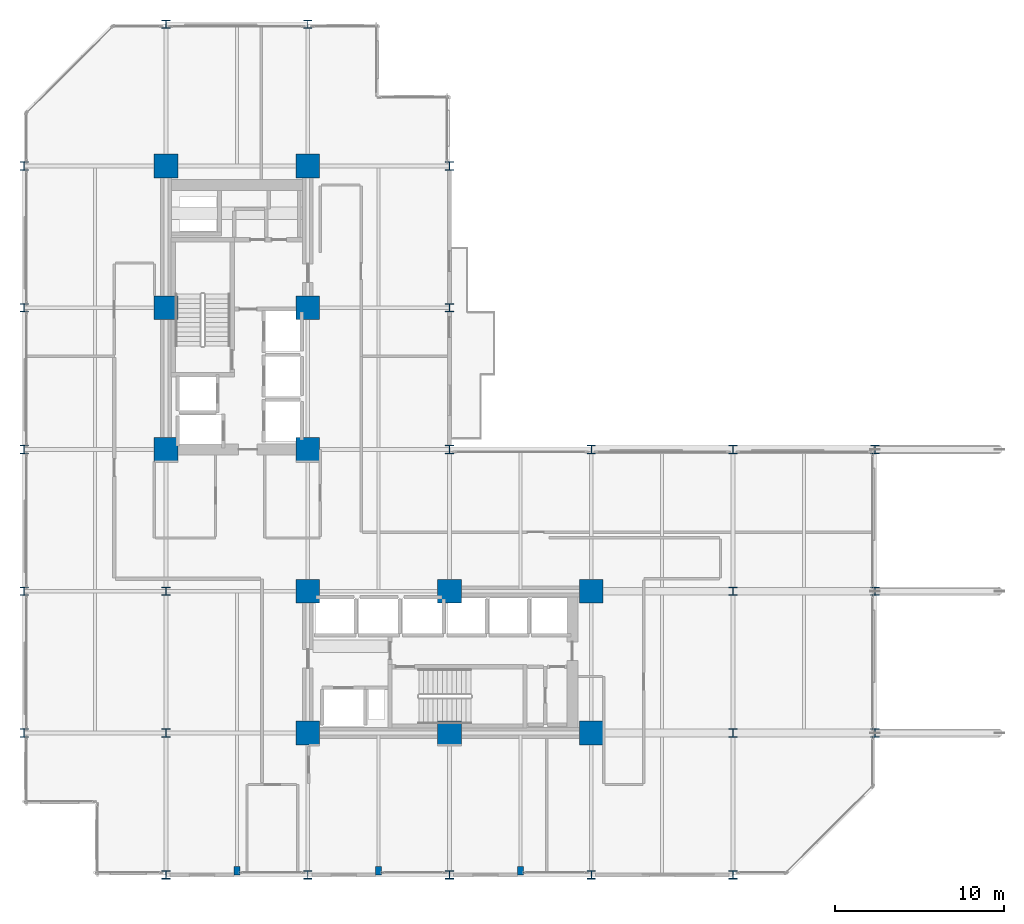
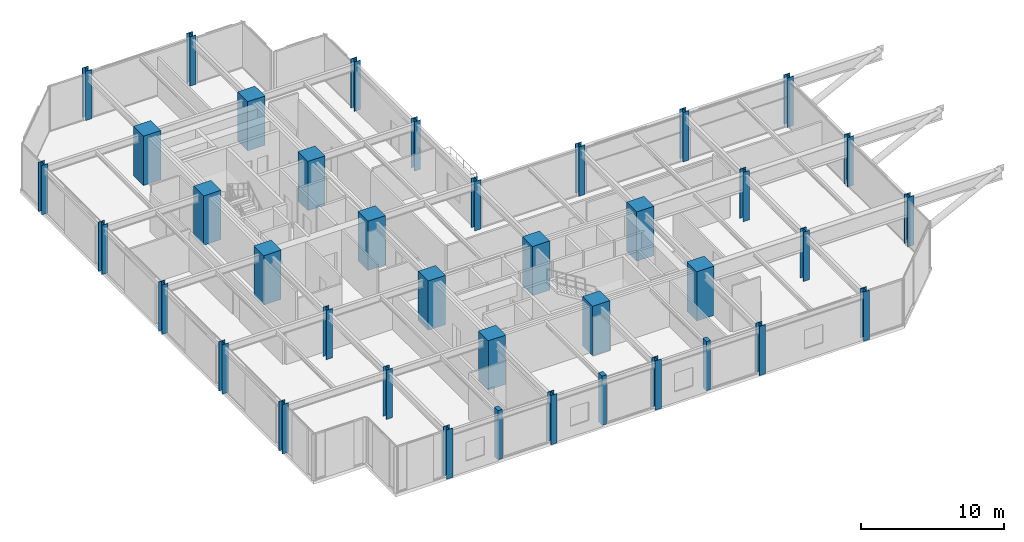
# One storey, part 1 of 25: 39 columns.
"""IFC4 building model written with IfcOpenShell, lengths in metres."""

from ifc_helpers import new_model, si_unit, direction, frame, origin, origin_2d, place, context, subcontext, project, spatial, rectangle, i_section, extrude, material, material_profile, profile_set, type_object, element, save


model = new_model("IFC4")

# Units and contexts
model_context = context("Model", 3, precision=1e-05, world=origin(), true_north=direction((0.0, 1.0)))
body_context = subcontext(model_context, "Body", "Model", "MODEL_VIEW")
ifc_project = project(units=[si_unit("LENGTHUNIT", "METRE"), si_unit("AREAUNIT", "SQUARE_METRE"), si_unit("VOLUMEUNIT", "CUBIC_METRE"), si_unit("PLANEANGLEUNIT", "RADIAN"), si_unit("MASSUNIT", "GRAM", prefix="KILO")], contexts=[model_context])

# Site, building, storey
site_placement = place(None, origin())
site = spatial("IfcSite", under=ifc_project, at=site_placement, CompositionType="ELEMENT")
building_placement = place(site_placement, origin())
building = spatial("IfcBuilding", under=site, at=building_placement, Name="Nerrivon Quay Data Exchange", CompositionType="ELEMENT")
storey_placement = place(building_placement, frame((0.0, 0.0, 58.39990234375)))
storey = spatial("IfcBuildingStorey", under=building, at=storey_placement, Name="L13", CompositionType="ELEMENT", Elevation=58.39990234375)

# Columns
ifc_material_1 = material(Name="Concrete N80 (80 MPa)", Category="concrete")
ifc_material_profile_1 = material_profile(ifc_material_1, rectangle(XDim=1.39990234375, YDim=1.39990234375, at=origin_2d()), Name="RC-COL-1400x1400")
ifc_profile_set_1 = profile_set([ifc_material_profile_1], Name="Concrete N80 (80 MPa)")
column_type_1 = type_object("IfcColumnType", Name="COL-C2-1400", PredefinedType="COLUMN", material=ifc_profile_set_1)
for number, where, z_axis, x_axis, name in (
    (1, (8.39990234375, 25.199951171875, 0.0), (0.0, 0.0, 1.0), (1.0, 0.0, 0.0), "L13 Column (8.4,25.2)"),
    (2, (8.39990234375, 33.60009765625, 0.0), (0.0, 0.0, 1.0), (1.0, 0.0, 0.0), "L13 Column (8.4,33.6)"),
    (3, (8.39990234375, 42.0, 0.0), (0.0, 0.0, 1.0), (1.0, 0.0, 0.0), "L13 Column (8.4,42.0)"),
    (4, (16.800048828125, 8.39990234375, 0.0), (0.0, 0.0, 1.0), (1.0, 0.0, 0.0), "L13 Column (16.8,8.4)"),
    (5, (16.800048828125, 16.800048828125, 0.0), (0.0, 0.0, 1.0), (1.0, 0.0, 0.0), "L13 Column (16.8,16.8)"),
    (6, (16.800048828125, 25.199951171875, 0.0), (0.0, 0.0, 1.0), (1.0, 0.0, 0.0), "L13 Column (16.8,25.2)"),
    (7, (16.800048828125, 33.60009765625, 0.0), (0.0, 0.0, 1.0), (1.0, 0.0, 0.0), "L13 Column (16.8,33.6)"),
    (8, (16.800048828125, 42.0, 0.0), (0.0, 0.0, 1.0), (1.0, 0.0, 0.0), "L13 Column (16.8,42.0)"),
    (9, (25.199951171875, 8.39990234375, 0.0), (0.0, 0.0, 1.0), (1.0, 0.0, 0.0), "L13 Column (25.2,8.4)"),
    (10, (25.199951171875, 16.800048828125, 0.0), (0.0, 0.0, 1.0), (1.0, 0.0, 0.0), "L13 Column (25.2,16.8)"),
    (11, (33.60009765625, 8.39990234375, 0.0), (0.0, 0.0, 1.0), (1.0, 0.0, 0.0), "L13 Column (33.6,8.4)"),
    (12, (33.60009765625, 16.800048828125, 0.0), (0.0, 0.0, 1.0), (1.0, 0.0, 0.0), "L13 Column (33.6,16.8)"),
):
    element("IfcColumn", number, at=place(storey_placement, frame(where, z_axis=z_axis, x_axis=x_axis)), inside=storey, type_object=column_type_1, Name=name, PredefinedType="COLUMN", context=body_context, shape_type="SweptSolid", body=[
        extrude(rectangle(XDim=1.39990234375, YDim=1.39990234375, at=origin_2d()), origin(), (0.0, 0.0, 1.0), 4.2001953125),
    ])
ifc_material_2 = material(Name="Steel Grade 350", Category="steel")
ifc_material_profile_2 = material_profile(ifc_material_2, i_section(OverallWidth=0.5, OverallDepth=0.5, WebThickness=0.028076171875, FlangeThickness=0.0400390625, at=origin_2d()), Name="500WC440")
ifc_profile_set_2 = profile_set([ifc_material_profile_2], Name="Steel Grade 350")
column_type_2 = type_object("IfcColumnType", Name="COL-SC1-500WC", PredefinedType="COLUMN", material=ifc_profile_set_2)
for number, where, z_axis, x_axis, name in (
    (13, (0.0, 8.39990234375, 0.0), (0.0, 0.0, 1.0), (1.0, 0.0, 0.0), "L13 Column (0.0,8.4)"),
    (14, (0.0, 16.800048828125, 0.0), (0.0, 0.0, 1.0), (1.0, 0.0, 0.0), "L13 Column (0.0,16.8)"),
    (15, (0.0, 25.199951171875, 0.0), (0.0, 0.0, 1.0), (1.0, 0.0, 0.0), "L13 Column (0.0,25.2)"),
    (16, (0.0, 33.60009765625, 0.0), (0.0, 0.0, 1.0), (1.0, 0.0, 0.0), "L13 Column (0.0,33.6)"),
    (17, (0.0, 42.0, 0.0), (0.0, 0.0, 1.0), (1.0, 0.0, 0.0), "L13 Column (0.0,42.0)"),
    (18, (8.39990234375, 0.0, 0.0), (0.0, 0.0, 1.0), (1.0, 0.0, 0.0), "L13 Column (8.4,0.0)"),
    (19, (8.39990234375, 8.39990234375, 0.0), (0.0, 0.0, 1.0), (1.0, 0.0, 0.0), "L13 Column (8.4,8.4)"),
    (20, (8.39990234375, 16.800048828125, 0.0), (0.0, 0.0, 1.0), (1.0, 0.0, 0.0), "L13 Column (8.4,16.8)"),
    (21, (8.39990234375, 50.39990234375, 0.0), (0.0, 0.0, 1.0), (1.0, 0.0, 0.0), "L13 Column (8.4,50.4)"),
    (22, (16.800048828125, 0.0, 0.0), (0.0, 0.0, 1.0), (1.0, 0.0, 0.0), "L13 Column (16.8,0.0)"),
    (23, (16.800048828125, 50.39990234375, 0.0), (0.0, 0.0, 1.0), (1.0, 0.0, 0.0), "L13 Column (16.8,50.4)"),
    (24, (25.199951171875, 0.0, 0.0), (0.0, 0.0, 1.0), (1.0, 0.0, 0.0), "L13 Column (25.2,0.0)"),
    (25, (25.199951171875, 25.199951171875, 0.0), (0.0, 0.0, 1.0), (1.0, 0.0, 0.0), "L13 Column (25.2,25.2)"),
    (26, (25.199951171875, 33.60009765625, 0.0), (0.0, 0.0, 1.0), (1.0, 0.0, 0.0), "L13 Column (25.2,33.6)"),
    (27, (25.199951171875, 42.0, 0.0), (0.0, 0.0, 1.0), (1.0, 0.0, 0.0), "L13 Column (25.2,42.0)"),
    (28, (33.60009765625, 0.0, 0.0), (0.0, 0.0, 1.0), (1.0, 0.0, 0.0), "L13 Column (33.6,0.0)"),
    (29, (33.60009765625, 25.199951171875, 0.0), (0.0, 0.0, 1.0), (1.0, 0.0, 0.0), "L13 Column (33.6,25.2)"),
    (30, (42.0, 0.0, 0.0), (0.0, 0.0, 1.0), (1.0, 0.0, 0.0), "L13 Column (42.0,0.0)"),
    (31, (42.0, 8.39990234375, 0.0), (0.0, 0.0, 1.0), (1.0, 0.0, 0.0), "L13 Column (42.0,8.4)"),
    (32, (42.0, 16.800048828125, 0.0), (0.0, 0.0, 1.0), (1.0, 0.0, 0.0), "L13 Column (42.0,16.8)"),
    (33, (42.0, 25.199951171875, 0.0), (0.0, 0.0, 1.0), (1.0, 0.0, 0.0), "L13 Column (42.0,25.2)"),
    (34, (50.39990234375, 8.39990234375, 0.0), (0.0, 0.0, 1.0), (1.0, 0.0, 0.0), "L13 Column (50.4,8.4)"),
    (35, (50.39990234375, 16.800048828125, 0.0), (0.0, 0.0, 1.0), (1.0, 0.0, 0.0), "L13 Column (50.4,16.8)"),
    (36, (50.39990234375, 25.199951171875, 0.0), (0.0, 0.0, 1.0), (1.0, 0.0, 0.0), "L13 Column (50.4,25.2)"),
):
    element("IfcColumn", number, at=place(storey_placement, frame(where, z_axis=z_axis, x_axis=x_axis)), inside=storey, type_object=column_type_2, Name=name, PredefinedType="COLUMN", context=body_context, shape_type="SweptSolid", body=[
        extrude(i_section(OverallWidth=0.5, OverallDepth=0.5, WebThickness=0.028076171875, FlangeThickness=0.0400390625, at=origin_2d()), origin(), (0.0, 0.0, 1.0), 4.2001953125),
    ])
ifc_material_3 = material(Name="Concrete N50 (50 MPa)", Category="concrete")
ifc_material_profile_3 = material_profile(ifc_material_3, rectangle(XDim=0.35009765625, YDim=0.5, at=origin_2d()), Name="RC-PIL-500x350")
ifc_profile_set_3 = profile_set([ifc_material_profile_3], Name="Concrete N50 (50 MPa)")
column_type_3 = type_object("IfcColumnType", Name="PIL-P2-500x350", PredefinedType="PILASTER", material=ifc_profile_set_3)
for number, where, z_axis, x_axis, name in (
    (37, (12.60009765625, 0.25, 0.0), (0.0, 0.0, 1.0), (1.0, 0.0, 0.0), "L13 Facade Pilaster (12.6)"),
    (38, (21.0, 0.25, 0.0), (0.0, 0.0, 1.0), (1.0, 0.0, 0.0), "L13 Facade Pilaster (21.0)"),
    (39, (29.39990234375, 0.25, 0.0), (0.0, 0.0, 1.0), (1.0, 0.0, 0.0), "L13 Facade Pilaster (29.4)"),
):
    element("IfcColumn", number, at=place(storey_placement, frame(where, z_axis=z_axis, x_axis=x_axis)), inside=storey, type_object=column_type_3, Name=name, PredefinedType="PILASTER", context=body_context, shape_type="SweptSolid", body=[
        extrude(rectangle(XDim=0.35009765625, YDim=0.5, at=origin_2d()), origin(), (0.0, 0.0, 1.0), 4.2001953125),
    ])

save(model, "model.ifc")
